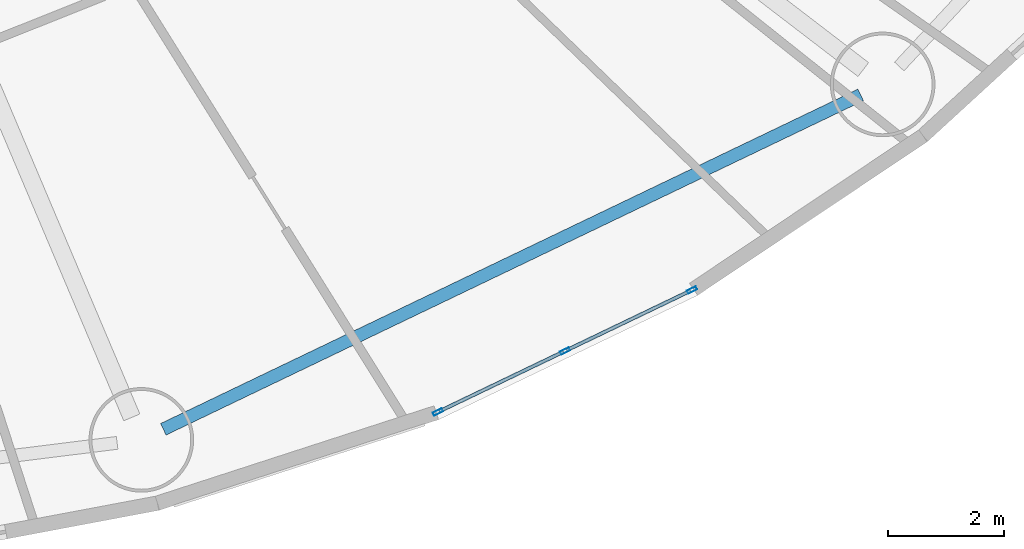
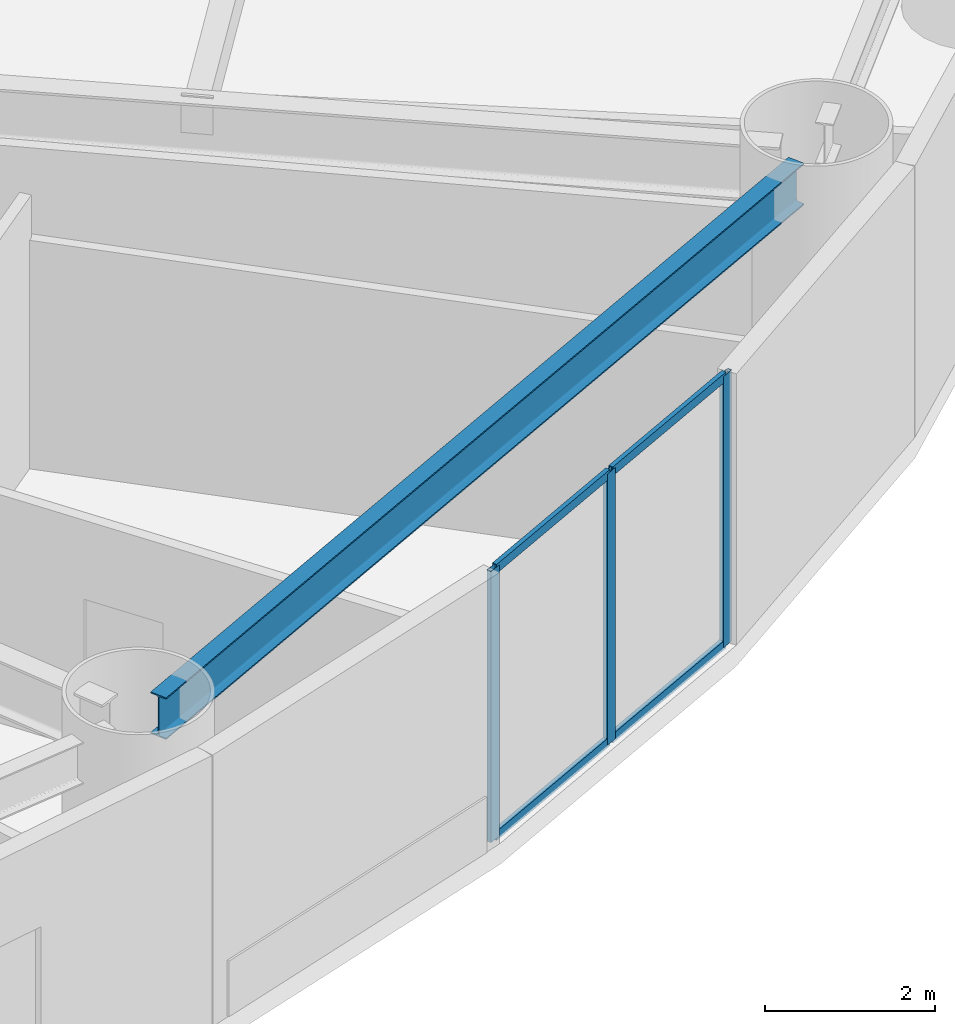
# One storey, part 6 of 31: 7 members, 1 beam, 1 element without a shape of its own.
"""IFC4 building model written with IfcOpenShell, lengths in metres."""

from ifc_helpers import new_model, si_unit, direction, frame, origin, origin_2d, place, context, subcontext, project, spatial, hollow_rectangle, i_section, extrude, source, transform, mapped, material, layer, layer_set, material_profile, profile_set, type_object, element, aggregate, save


model = new_model("IFC4")

# Units and contexts
model_context = context("Model", 3, precision=1e-05, world=origin(), true_north=direction((0.0, 1.0)))
body_context = subcontext(model_context, "Body", "Model", "MODEL_VIEW")
ifc_project = project(units=[si_unit("LENGTHUNIT", "METRE"), si_unit("AREAUNIT", "SQUARE_METRE"), si_unit("VOLUMEUNIT", "CUBIC_METRE"), si_unit("PLANEANGLEUNIT", "RADIAN"), si_unit("MASSUNIT", "GRAM", prefix="KILO")], contexts=[model_context])

# Site, building, storey
site_placement = place(None, origin())
site = spatial("IfcSite", under=ifc_project, at=site_placement, CompositionType="ELEMENT")
building_placement = place(site_placement, origin())
building = spatial("IfcBuilding", under=site, at=building_placement, Name="Linh Dai School and Residence Tower", CompositionType="ELEMENT")
storey_placement = place(building_placement, frame((0.0, 0.0, 6.0)))
storey = spatial("IfcBuildingStorey", under=building, at=storey_placement, Name="L01", CompositionType="ELEMENT", Elevation=6.0)

# Beam
ifc_material_1 = material(Name="Structural Steel S355JR", Category="steel")
ifc_material_profile_1 = material_profile(ifc_material_1, i_section(OverallWidth=0.219970703125, OverallDepth=0.60009765625, WebThickness=0.011962890625, FlangeThickness=0.01904296875, FilletRadius=0.02392578125, at=origin_2d()), Name="IPE 600")
ifc_profile_set_1 = profile_set([ifc_material_profile_1], Name="Structural Steel S355JR")
beam_type = type_object("IfcBeamType", Name="BM-RB60", PredefinedType="BEAM", material=ifc_profile_set_1)
beam_placement = place(storey_placement, frame((46.329833984375, 3.66552734375, 3.60009765625), z_axis=(0.901703667424, 0.432354595388, 0.0), x_axis=(-0.432354595388, 0.901703667424, 0.0)))
element("IfcBeam", 1, at=beam_placement, inside=storey, type_object=beam_type, Name="L01 Perimeter Elliptical Ring Beam 14", PredefinedType="BEAM", context=body_context, shape_type="SweptSolid", body=[
    extrude(i_section(OverallWidth=0.219970703125, OverallDepth=0.60009765625, WebThickness=0.011962890625, FlangeThickness=0.01904296875, FilletRadius=0.02392578125, at=origin_2d()), origin(), (0.0, 0.0, 1.0), 13.304443359375),
])

# Curtain wall, members
ifc_material_2 = material(Name="Aluminium Anodised Curtain Wall", Category="aluminium")
ifc_layer = layer(ifc_material_2, 0.169921875)
ifc_layer_set = layer_set([ifc_layer], Name="Aluminium Anodised Curtain Wall")
curtain_wall_type = type_object("IfcCurtainWallType", Name="CW-SYS-2", PredefinedType="USERDEFINED", material=ifc_layer_set)
curtain_wall_placement = place(storey_placement, origin())
curtain_wall = element("IfcCurtainWall", 2, at=curtain_wall_placement, inside=storey, type_object=curtain_wall_type, Name="L01 CW2 Curtain Wall 34", ObjectType="UNITISED CURTAIN WALL", PredefinedType="USERDEFINED")
ifc_material_3 = material(Name="Aluminium Alloy 6063-T6", Category="aluminium")
ifc_material_profile_2 = material_profile(ifc_material_3, hollow_rectangle(XDim=0.06005859375, YDim=0.169921875, WallThickness=0.00390625, at=origin_2d()), Name="RHS 170x60x4")
ifc_profile_set_2 = profile_set([ifc_material_profile_2], Name="Aluminium Alloy 6063-T6")
member_type_1 = type_object("IfcMemberType", Name="CW-SYS-2-MUL", PredefinedType="MULLION", material=ifc_profile_set_2)
shared_shape_1 = source(origin(), body_context, "Body", "SweptSolid", [
    extrude(hollow_rectangle(XDim=0.06005859375, YDim=0.169921875, WallThickness=0.00390625, at=origin_2d()), origin(), (0.0, 0.0, 1.0), 3.89990234375),
])
member_1_placement = place(storey_placement, frame((55.425537109375, 6.061279296875, 0.0), z_axis=(0.0, 0.0, 1.0), x_axis=(0.432657370259, -0.901558428479, 0.0)))
member_1 = element("IfcMember", 3, at=member_1_placement, type_object=member_type_1, Name="CW2 mullion 1", PredefinedType="MULLION", context=body_context, shape_type="MappedRepresentation", body=[
    mapped(shared_shape_1, transform((0.0, 0.0, 0.0), x_axis=(1.0, 0.0, 0.0), y_axis=(0.0, 1.0, 0.0), z_axis=(0.0, 0.0, 1.0), scale=1.0)),
])
member_2_placement = place(storey_placement, frame((53.239501953125, 5.011962890625, 0.0), z_axis=(0.0, 0.0, 1.0), x_axis=(0.432657370259, -0.901558428479, 0.0)))
member_2 = element("IfcMember", 4, at=member_2_placement, type_object=member_type_1, Name="CW2 mullion 2", PredefinedType="MULLION", context=body_context, shape_type="MappedRepresentation", body=[
    mapped(shared_shape_1, transform((0.0, 0.0, 0.0), x_axis=(1.0, 0.0, 0.0), y_axis=(0.0, 1.0, 0.0), z_axis=(0.0, 0.0, 1.0), scale=1.0)),
])
member_3_placement = place(storey_placement, frame((51.05322265625, 3.962890625, 0.0), z_axis=(0.0, 0.0, 1.0), x_axis=(0.432657370259, -0.901558428479, 0.0)))
member_3 = element("IfcMember", 5, at=member_3_placement, type_object=member_type_1, Name="CW2 mullion 3", PredefinedType="MULLION", context=body_context, shape_type="MappedRepresentation", body=[
    mapped(shared_shape_1, transform((0.0, 0.0, 0.0), x_axis=(1.0, 0.0, 0.0), y_axis=(0.0, 1.0, 0.0), z_axis=(0.0, 0.0, 1.0), scale=1.0)),
])
ifc_material_profile_3 = material_profile(ifc_material_3, hollow_rectangle(XDim=0.06005859375, YDim=0.1298828125, WallThickness=0.00390625, at=origin_2d()), Name="RHS 130x60x4")
ifc_profile_set_3 = profile_set([ifc_material_profile_3], Name="Aluminium Alloy 6063-T6")
member_type_2 = type_object("IfcMemberType", Name="CW-SYS-2-TRN", PredefinedType="USERDEFINED", material=ifc_profile_set_3)
shared_shape_2 = source(origin(), body_context, "Body", "SweptSolid", [
    extrude(hollow_rectangle(XDim=0.06005859375, YDim=0.1298828125, WallThickness=0.00390625, at=origin_2d()), origin(), (0.0, 0.0, 1.0), 2.364990234375),
])
member_4_placement = place(storey_placement, frame((55.3984375, 6.04833984375, 0.030029296875), z_axis=(-0.90155688486, -0.432660586791, 0.0), x_axis=(0.432660586791, -0.90155688486, 0.0)))
member_4 = element("IfcMember", 6, at=member_4_placement, type_object=member_type_2, Name="CW2 transom 1.1", ObjectType="TRANSOM", PredefinedType="USERDEFINED", context=body_context, shape_type="MappedRepresentation", body=[
    mapped(shared_shape_2, transform((0.0, 0.0, 0.0), x_axis=(1.0, 0.0, 0.0), y_axis=(0.0, 1.0, 0.0), z_axis=(0.0, 0.0, 1.0), scale=1.0)),
])
member_5_placement = place(storey_placement, frame((55.3984375, 6.04833984375, 3.8701171875), z_axis=(-0.90155688486, -0.432660586791, 0.0), x_axis=(0.432660586791, -0.90155688486, 0.0)))
member_5 = element("IfcMember", 7, at=member_5_placement, type_object=member_type_2, Name="CW2 transom 1.2", ObjectType="TRANSOM", PredefinedType="USERDEFINED", context=body_context, shape_type="MappedRepresentation", body=[
    mapped(shared_shape_2, transform((0.0, 0.0, 0.0), x_axis=(1.0, 0.0, 0.0), y_axis=(0.0, 1.0, 0.0), z_axis=(0.0, 0.0, 1.0), scale=1.0)),
])
member_6_placement = place(storey_placement, frame((53.21240234375, 4.9990234375, 0.030029296875), z_axis=(-0.90155688486, -0.432660586791, 0.0), x_axis=(0.432660586791, -0.90155688486, 0.0)))
member_6 = element("IfcMember", 8, at=member_6_placement, type_object=member_type_2, Name="CW2 transom 2.1", ObjectType="TRANSOM", PredefinedType="USERDEFINED", context=body_context, shape_type="MappedRepresentation", body=[
    mapped(shared_shape_2, transform((0.0, 0.0, 0.0), x_axis=(1.0, 0.0, 0.0), y_axis=(0.0, 1.0, 0.0), z_axis=(0.0, 0.0, 1.0), scale=1.0)),
])
member_7_placement = place(storey_placement, frame((53.21240234375, 4.9990234375, 3.8701171875), z_axis=(-0.90155688486, -0.432660586791, 0.0), x_axis=(0.432660586791, -0.90155688486, 0.0)))
member_7 = element("IfcMember", 9, at=member_7_placement, type_object=member_type_2, Name="CW2 transom 2.2", ObjectType="TRANSOM", PredefinedType="USERDEFINED", context=body_context, shape_type="MappedRepresentation", body=[
    mapped(shared_shape_2, transform((0.0, 0.0, 0.0), x_axis=(1.0, 0.0, 0.0), y_axis=(0.0, 1.0, 0.0), z_axis=(0.0, 0.0, 1.0), scale=1.0)),
])
aggregate(curtain_wall, [member_1, member_2, member_3, member_4, member_5, member_6, member_7])

save(model, "model.ifc")
